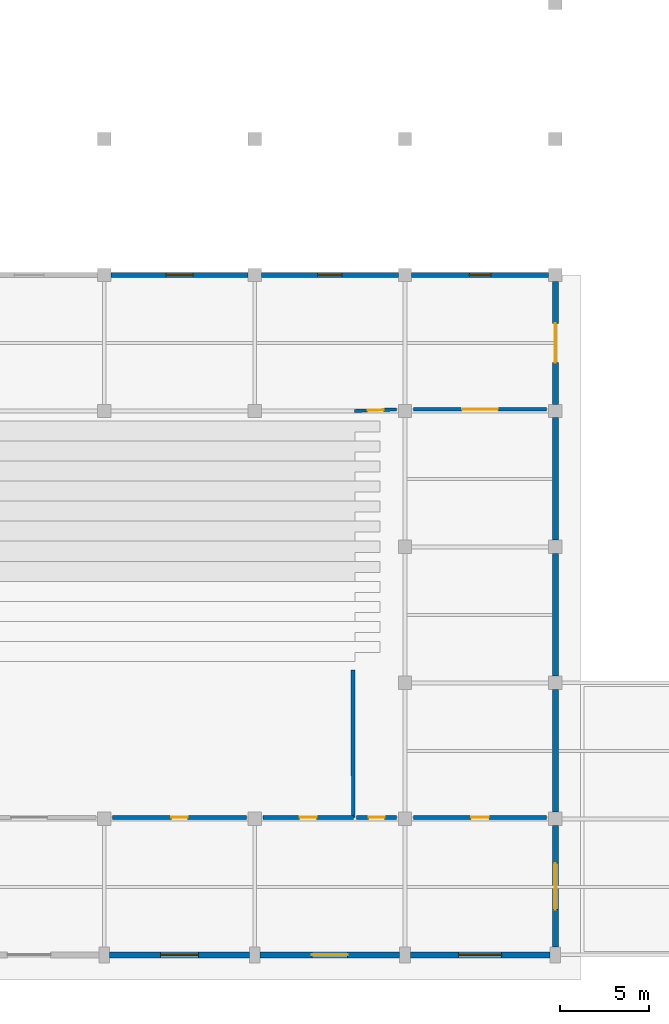
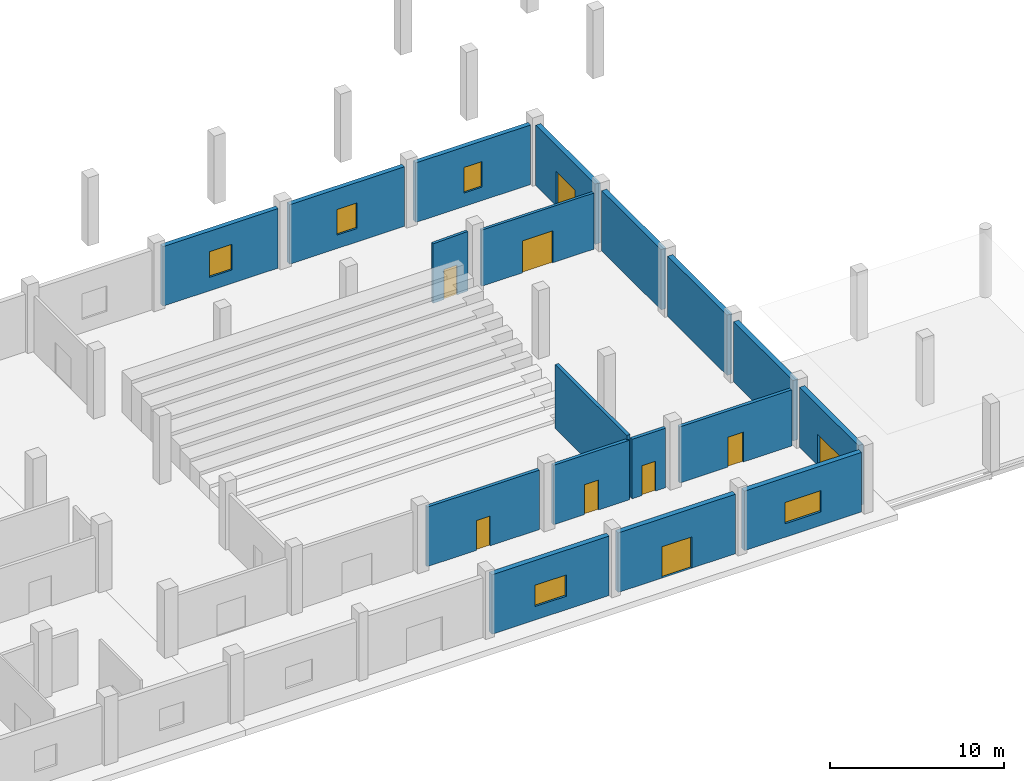
# One storey, part 24 of 36: 18 walls, 9 doors, 5 windows, 14 openings.
"""IFC4 building model written with IfcOpenShell, lengths in metres."""

from ifc_helpers import new_model, si_unit, direction, frame, frame_2d, origin, place, context, subcontext, project, spatial, rectangle, extrude, material, layer, layer_set, type_object, element, fill, save


model = new_model("IFC4")

# Units and contexts
model_context = context("Model", 3, precision=1e-05, world=origin(), true_north=direction((0.0, 1.0)))
body_context = subcontext(model_context, "Body", "Model", "MODEL_VIEW")
ifc_project = project(units=[si_unit("LENGTHUNIT", "METRE"), si_unit("AREAUNIT", "SQUARE_METRE"), si_unit("VOLUMEUNIT", "CUBIC_METRE"), si_unit("PLANEANGLEUNIT", "RADIAN"), si_unit("MASSUNIT", "GRAM", prefix="KILO")], contexts=[model_context])

# Site, building, storey
site_placement = place(None, origin())
site = spatial("IfcSite", under=ifc_project, at=site_placement, CompositionType="ELEMENT")
building_placement = place(site_placement, origin())
building = spatial("IfcBuilding", under=site, at=building_placement, Name="Zuvorla Pavilion Media Centre", CompositionType="ELEMENT")
storey_placement = place(building_placement, origin())
storey = spatial("IfcBuildingStorey", under=building, at=storey_placement, Name="L00", CompositionType="ELEMENT", Elevation=0.0)

# Wall, opening, door
ifc_material_1 = material(Name="Acoustic masonry blockwork C32/40", Category="masonry")
ifc_layer_1 = layer(ifc_material_1, 0.219970703125)
ifc_layer_set_1 = layer_set([ifc_layer_1], Name="Acoustic masonry blockwork C32/40")
wall_type_1 = type_object("IfcWallType", Name="WL-CMP-220", PredefinedType="SOLIDWALL", material=ifc_layer_set_1)
wall_1_placement = place(storey_placement, frame((141.93505859375, 13.68994140625, 0.0), z_axis=(0.0, 0.0, 1.0), x_axis=(-1.0, 0.0, 0.0)))
wall_1 = element("IfcWall", 1, at=wall_1_placement, inside=storey, type_object=wall_type_1, Name="L00 solid wall IW22 410", PredefinedType="SOLIDWALL", context=body_context, shape_type="SweptSolid", body=[
    extrude(rectangle(XDim=7.469970703125, YDim=0.219970703125, at=frame_2d((3.73486328125, 0.0))), origin(), (0.0, 0.0, 1.0), 4.18701171875),
])
opening_1_placement = place(wall_1_placement, frame((3.284912109375, 0.0, 0.0)))
opening_1 = element("IfcOpeningElement", 2, at=opening_1_placement, cuts=wall_1, Name="Opening FD01", PredefinedType="OPENING", context=body_context, shape_type="SweptSolid", body=[
    extrude(rectangle(XDim=0.89990234375, YDim=2.10009765625, at=frame_2d((0.449951171875, 1.050048828125))), frame((0.0, 0.119873046875, 0.0), z_axis=(0.0, -1.0, 0.0), x_axis=(1.0, 0.0, 0.0)), (0.0, 0.0, 1.0), 0.239990234375),
])
ifc_material_2 = material(Name="Acoustic timber fire door leaf in steel frame", Category="steel")
door_type_1 = type_object("IfcDoorType", Name="DR-INT-FD01", OperationType="NOTDEFINED", PredefinedType="DOOR", material=ifc_material_2)
door_1_placement = place(opening_1_placement, origin())
door_1 = element("IfcDoor", 3, at=door_1_placement, inside=storey, type_object=door_type_1, Name="Interior door FD01 154", OperationType="SINGLE_SWING_RIGHT", OverallHeight=2.10009765625, OverallWidth=0.89990234375, PredefinedType="DOOR", context=body_context, shape_type="SweptSolid", body=[
    extrude(rectangle(XDim=0.89990234375, YDim=2.10009765625, at=frame_2d((0.449951171875, 1.050048828125))), frame((0.0, 0.02490234375, 0.0), z_axis=(0.0, -1.0, 0.0), x_axis=(1.0, 0.0, 0.0)), (0.0, 0.0, 1.0), 0.050048828125),
])
fill(opening_1, door_1)

wall_2_placement = place(storey_placement, frame((147.919921875, 13.691162109375, 0.0), z_axis=(0.0, 0.0, 1.0), x_axis=(-0.999999970842, -0.000241487556, 0.0)))
wall_2 = element("IfcWall", 4, at=wall_2_placement, inside=storey, type_object=wall_type_1, Name="L00 solid wall IW22 411", PredefinedType="SOLIDWALL", context=body_context, shape_type="SweptSolid", body=[
    extrude(rectangle(XDim=5.054931640625, YDim=0.219970703125, at=frame_2d((2.52734375, 0.0))), origin(), (0.0, 0.0, 1.0), 4.18701171875),
])
opening_2_placement = place(wall_2_placement, frame((2.052490234375, 0.0, 0.0)))
opening_2 = element("IfcOpeningElement", 5, at=opening_2_placement, cuts=wall_2, Name="Opening FD02", PredefinedType="OPENING", context=body_context, shape_type="SweptSolid", body=[
    extrude(rectangle(XDim=0.949951171875, YDim=2.10009765625, at=frame_2d((0.47509765625, 1.050048828125))), frame((0.0, 0.119873046875, 0.0), z_axis=(0.0, -1.0, 0.0), x_axis=(1.0, 0.0, 0.0)), (0.0, 0.0, 1.0), 0.239990234375),
])
door_type_2 = type_object("IfcDoorType", Name="DR-INT-FD02", OperationType="NOTDEFINED", PredefinedType="DOOR", material=ifc_material_2)
door_2_placement = place(opening_2_placement, origin())
door_2 = element("IfcDoor", 6, at=door_2_placement, inside=storey, type_object=door_type_2, Name="Interior door FD02 155", OperationType="SINGLE_SWING_LEFT", OverallHeight=2.10009765625, OverallWidth=0.949951171875, PredefinedType="DOOR", context=body_context, shape_type="SweptSolid", body=[
    extrude(rectangle(XDim=0.949951171875, YDim=2.10009765625, at=frame_2d((0.47509765625, 1.050048828125))), frame((0.0, 0.02490234375, 0.0), z_axis=(0.0, -1.0, 0.0), x_axis=(1.0, 0.0, 0.0)), (0.0, 0.0, 1.0), 0.050048828125),
])
fill(opening_2, door_2)

wall_3_placement = place(storey_placement, frame((158.719970703125, 13.68994140625, 0.0), z_axis=(0.0, 0.0, 1.0), x_axis=(-1.0, 0.0, 0.0)))
wall_3 = element("IfcWall", 7, at=wall_3_placement, inside=storey, type_object=wall_type_1, Name="L00 solid wall IW22 412", PredefinedType="SOLIDWALL", context=body_context, shape_type="SweptSolid", body=[
    extrude(rectangle(XDim=7.455078125, YDim=0.219970703125, at=frame_2d((3.7275390625, 0.0))), origin(), (0.0, 0.0, 1.0), 3.9501953125),
])
opening_3_placement = place(wall_3_placement, frame((3.2275390625, 0.0, 0.0)))
opening_3 = element("IfcOpeningElement", 8, at=opening_3_placement, cuts=wall_3, Name="Opening FD03", PredefinedType="OPENING", context=body_context, shape_type="SweptSolid", body=[
    extrude(rectangle(XDim=1.0, YDim=2.10009765625, at=frame_2d((0.5, 1.050048828125))), frame((0.0, 0.119873046875, 0.0), z_axis=(0.0, -1.0, 0.0), x_axis=(1.0, 0.0, 0.0)), (0.0, 0.0, 1.0), 0.239990234375),
])
door_type_3 = type_object("IfcDoorType", Name="DR-INT-FD03", OperationType="NOTDEFINED", PredefinedType="DOOR", material=ifc_material_2)
door_3_placement = place(opening_3_placement, origin())
door_3 = element("IfcDoor", 9, at=door_3_placement, inside=storey, type_object=door_type_3, Name="Interior door FD03 156", OperationType="SINGLE_SWING_RIGHT", OverallHeight=2.10009765625, OverallWidth=1.0, PredefinedType="DOOR", context=body_context, shape_type="SweptSolid", body=[
    extrude(rectangle(XDim=1.0, YDim=2.10009765625, at=frame_2d((0.5, 1.050048828125))), frame((0.0, 0.02490234375, 0.0), z_axis=(0.0, -1.0, 0.0), x_axis=(1.0, 0.0, 0.0)), (0.0, 0.0, 1.0), 0.050048828125),
])
fill(opening_3, door_3)

wall_4_placement = place(storey_placement, frame((150.3349609375, 13.68994140625, 0.0), z_axis=(0.0, 0.0, 1.0), x_axis=(-0.999999852155, 0.00054377371, 0.0)))
wall_4 = element("IfcWall", 10, at=wall_4_placement, inside=storey, type_object=wall_type_1, Name="L00 solid wall IW22 413", PredefinedType="SOLIDWALL", context=body_context, shape_type="SweptSolid", body=[
    extrude(rectangle(XDim=2.244873046875, YDim=0.219970703125, at=frame_2d((1.12255859375, 0.0))), origin(), (0.0, 0.0, 1.0), 4.18701171875),
])
opening_4_placement = place(wall_4_placement, frame((0.672607421875, 0.0, 0.0)))
opening_4 = element("IfcOpeningElement", 11, at=opening_4_placement, cuts=wall_4, Name="Opening FD01", PredefinedType="OPENING", context=body_context, shape_type="SweptSolid", body=[
    extrude(rectangle(XDim=0.89990234375, YDim=2.10009765625, at=frame_2d((0.449951171875, 1.050048828125))), frame((0.0, 0.119873046875, 0.0), z_axis=(0.0, -1.0, 0.0), x_axis=(1.0, 0.0, 0.0)), (0.0, 0.0, 1.0), 0.239990234375),
])
door_4_placement = place(opening_4_placement, origin())
door_4 = element("IfcDoor", 12, at=door_4_placement, inside=storey, type_object=door_type_1, Name="Interior door FD01 157", OperationType="SINGLE_SWING_LEFT", OverallHeight=2.10009765625, OverallWidth=0.89990234375, PredefinedType="DOOR", context=body_context, shape_type="SweptSolid", body=[
    extrude(rectangle(XDim=0.89990234375, YDim=2.10009765625, at=frame_2d((0.449951171875, 1.050048828125))), frame((0.0, 0.02490234375, 0.0), z_axis=(0.0, -1.0, 0.0), x_axis=(1.0, 0.0, 0.0)), (0.0, 0.0, 1.0), 0.050048828125),
])
fill(opening_4, door_4)

# Wall
wall_5_placement = place(storey_placement, frame((147.900634765625, 21.919921875, 0.0), z_axis=(0.0, 0.0, 1.0), x_axis=(0.001125891853, -0.999999366184, 0.0)))
element("IfcWall", 13, at=wall_5_placement, inside=storey, type_object=wall_type_1, Name="L00 solid wall IW22 446", PredefinedType="SOLIDWALL", context=body_context, shape_type="SweptSolid", body=[
    extrude(rectangle(XDim=8.239990234375, YDim=0.219970703125, at=frame_2d((4.1201171875, 0.0))), origin(), (0.0, 0.0, 1.0), 4.5),
])

# Wall, opening, window
ifc_material_3 = material(Name="White rendered concrete C32/40", Category="concrete")
ifc_layer_2 = layer(ifc_material_3, 0.300048828125)
ifc_layer_set_2 = layer_set([ifc_layer_2], Name="White rendered concrete C32/40")
wall_type_2 = type_object("IfcWallType", Name="WL-EXT-300", PredefinedType="SOLIDWALL", material=ifc_layer_set_2)
wall_6_placement = place(storey_placement, frame((158.824951171875, 44.0, 0.0), z_axis=(0.0, 0.0, 1.0), x_axis=(-1.0, 0.0, 0.0)))
wall_6 = element("IfcWall", 14, at=wall_6_placement, inside=storey, type_object=wall_type_2, Name="L00 exterior solid wall EW03 70", PredefinedType="SOLIDWALL", context=body_context, shape_type="SweptSolid", body=[
    extrude(rectangle(XDim=7.64990234375, YDim=0.300048828125, at=frame_2d((3.824951171875, 0.0))), origin(), (0.0, 0.0, 1.0), 4.18701171875),
])
opening_5_placement = place(wall_6_placement, frame((3.22509765625, 0.0, 0.949951171875)))
opening_5 = element("IfcOpeningElement", 15, at=opening_5_placement, cuts=wall_6, Name="Opening WN08", PredefinedType="OPENING", context=body_context, shape_type="SweptSolid", body=[
    extrude(rectangle(XDim=1.199951171875, YDim=1.800048828125, at=frame_2d((0.60009765625, 0.89990234375))), frame((0.0, 0.159912109375, 0.0), z_axis=(0.0, -1.0, 0.0), x_axis=(1.0, 0.0, 0.0)), (0.0, 0.0, 1.0), 0.320068359375),
])
ifc_material_4 = material(Name="Anodised aluminium frame with solar double glazing", Category="aluminium")
window_type_1 = type_object("IfcWindowType", Name="WIN-WN08", PartitioningType="SINGLE_PANEL", PredefinedType="WINDOW", material=ifc_material_4)
window_1_placement = place(opening_5_placement, origin())
window_1 = element("IfcWindow", 16, at=window_1_placement, inside=storey, type_object=window_type_1, Name="L00 window WN08 8", OverallHeight=1.800048828125, OverallWidth=1.199951171875, PartitioningType="SINGLE_PANEL", PredefinedType="WINDOW", context=body_context, shape_type="SweptSolid", body=[
    extrude(rectangle(XDim=1.199951171875, YDim=1.800048828125, at=frame_2d((0.60009765625, 0.89990234375))), frame((0.0, 0.030029296875, 0.0), z_axis=(0.0, -1.0, 0.0), x_axis=(1.0, 0.0, 0.0)), (0.0, 0.0, 1.0), 0.06005859375),
])
fill(opening_5, window_1)

wall_7_placement = place(storey_placement, frame((150.425048828125, 44.0, 0.0), z_axis=(0.0, 0.0, 1.0), x_axis=(-1.0, 0.0, 0.0)))
wall_7 = element("IfcWall", 17, at=wall_7_placement, inside=storey, type_object=wall_type_2, Name="L00 exterior solid wall EW03 71", PredefinedType="SOLIDWALL", context=body_context, shape_type="SweptSolid", body=[
    extrude(rectangle(XDim=7.650146484375, YDim=0.300048828125, at=frame_2d((3.8251953125, 0.0))), origin(), (0.0, 0.0, 1.0), 4.18701171875),
])
opening_6_placement = place(wall_7_placement, frame((3.14990234375, 0.0, 0.949951171875)))
opening_6 = element("IfcOpeningElement", 18, at=opening_6_placement, cuts=wall_7, Name="Opening WN09", PredefinedType="OPENING", context=body_context, shape_type="SweptSolid", body=[
    extrude(rectangle(XDim=1.35009765625, YDim=1.800048828125, at=frame_2d((0.675048828125, 0.89990234375))), frame((0.0, 0.159912109375, 0.0), z_axis=(0.0, -1.0, 0.0), x_axis=(1.0, 0.0, 0.0)), (0.0, 0.0, 1.0), 0.320068359375),
])
window_type_2 = type_object("IfcWindowType", Name="WIN-WN09", PartitioningType="SINGLE_PANEL", PredefinedType="WINDOW", material=ifc_material_4)
window_2_placement = place(opening_6_placement, origin())
window_2 = element("IfcWindow", 19, at=window_2_placement, inside=storey, type_object=window_type_2, Name="L00 window WN09 9", OverallHeight=1.800048828125, OverallWidth=1.35009765625, PartitioningType="SINGLE_PANEL", PredefinedType="WINDOW", context=body_context, shape_type="SweptSolid", body=[
    extrude(rectangle(XDim=1.35009765625, YDim=1.800048828125, at=frame_2d((0.675048828125, 0.89990234375))), frame((0.0, 0.030029296875, 0.0), z_axis=(0.0, -1.0, 0.0), x_axis=(1.0, 0.0, 0.0)), (0.0, 0.0, 1.0), 0.06005859375),
])
fill(opening_6, window_2)

wall_8_placement = place(storey_placement, frame((142.02490234375, 44.0, 0.0), z_axis=(0.0, 0.0, 1.0), x_axis=(-1.0, 0.0, 0.0)))
wall_8 = element("IfcWall", 20, at=wall_8_placement, inside=storey, type_object=wall_type_2, Name="L00 exterior solid wall EW03 72", PredefinedType="SOLIDWALL", context=body_context, shape_type="SweptSolid", body=[
    extrude(rectangle(XDim=7.64990234375, YDim=0.300048828125, at=frame_2d((3.824951171875, 0.0))), origin(), (0.0, 0.0, 1.0), 4.18701171875),
])
opening_7_placement = place(wall_8_placement, frame((3.074951171875, 0.0, 0.949951171875)))
opening_7 = element("IfcOpeningElement", 21, at=opening_7_placement, cuts=wall_8, Name="Opening WN10", PredefinedType="OPENING", context=body_context, shape_type="SweptSolid", body=[
    extrude(rectangle(XDim=1.5, YDim=1.800048828125, at=frame_2d((0.75, 0.89990234375))), frame((0.0, 0.159912109375, 0.0), z_axis=(0.0, -1.0, 0.0), x_axis=(1.0, 0.0, 0.0)), (0.0, 0.0, 1.0), 0.320068359375),
])
window_type_3 = type_object("IfcWindowType", Name="WIN-WN10", PartitioningType="SINGLE_PANEL", PredefinedType="WINDOW", material=ifc_material_4)
window_3_placement = place(opening_7_placement, origin())
window_3 = element("IfcWindow", 22, at=window_3_placement, inside=storey, type_object=window_type_3, Name="L00 window WN10 10", OverallHeight=1.800048828125, OverallWidth=1.5, PartitioningType="SINGLE_PANEL", PredefinedType="WINDOW", context=body_context, shape_type="SweptSolid", body=[
    extrude(rectangle(XDim=1.5, YDim=1.800048828125, at=frame_2d((0.75, 0.89990234375))), frame((0.0, 0.030029296875, 0.0), z_axis=(0.0, -1.0, 0.0), x_axis=(1.0, 0.0, 0.0)), (0.0, 0.0, 1.0), 0.06005859375),
])
fill(opening_7, window_3)

ifc_layer_3 = layer(ifc_material_3, 0.340087890625)
ifc_layer_set_3 = layer_set([ifc_layer_3], Name="White rendered concrete C32/40")
wall_type_3 = type_object("IfcWallType", Name="WL-EXT-340", PredefinedType="SOLIDWALL", material=ifc_layer_set_3)
wall_9_placement = place(storey_placement, frame((134.300048828125, 6.0, 0.0), z_axis=(0.0, 0.0, 1.0), x_axis=(1.0, 0.0, 0.0)))
wall_9 = element("IfcWall", 23, at=wall_9_placement, inside=storey, type_object=wall_type_3, Name="L00 exterior solid wall EW02 62", PredefinedType="SOLIDWALL", context=body_context, shape_type="SweptSolid", body=[
    extrude(rectangle(XDim=7.800048828125, YDim=0.340087890625, at=frame_2d((3.89990234375, 0.0))), origin(), (0.0, 0.0, 1.0), 4.18701171875),
])
opening_8_placement = place(wall_9_placement, frame((2.85009765625, 0.0, 0.949951171875)))
opening_8 = element("IfcOpeningElement", 24, at=opening_8_placement, cuts=wall_9, Name="Opening WN06", PredefinedType="OPENING", context=body_context, shape_type="SweptSolid", body=[
    extrude(rectangle(XDim=2.10009765625, YDim=1.5, at=frame_2d((1.050048828125, 0.75))), frame((0.0, 0.179931640625, 0.0), z_axis=(0.0, -1.0, 0.0), x_axis=(1.0, 0.0, 0.0)), (0.0, 0.0, 1.0), 0.360107421875),
])
window_type_4 = type_object("IfcWindowType", Name="WIN-WN06", PartitioningType="DOUBLE_PANEL_VERTICAL", PredefinedType="WINDOW", material=ifc_material_4)
window_4_placement = place(opening_8_placement, origin())
window_4 = element("IfcWindow", 25, at=window_4_placement, inside=storey, type_object=window_type_4, Name="L00 window WN06 6", OverallHeight=1.5, OverallWidth=2.10009765625, PartitioningType="DOUBLE_PANEL_VERTICAL", PredefinedType="WINDOW", context=body_context, shape_type="SweptSolid", body=[
    extrude(rectangle(XDim=2.10009765625, YDim=1.5, at=frame_2d((1.050048828125, 0.75))), frame((0.0, 0.030029296875, 0.0), z_axis=(0.0, -1.0, 0.0), x_axis=(1.0, 0.0, 0.0)), (0.0, 0.0, 1.0), 0.06005859375),
])
fill(opening_8, window_4)

# Wall, opening, door
wall_10_placement = place(storey_placement, frame((142.699951171875, 6.0, 0.0), z_axis=(0.0, 0.0, 1.0), x_axis=(1.0, 0.0, 0.0)))
wall_10 = element("IfcWall", 26, at=wall_10_placement, inside=storey, type_object=wall_type_3, Name="L00 exterior solid wall EW02 63", PredefinedType="SOLIDWALL", context=body_context, shape_type="SweptSolid", body=[
    extrude(rectangle(XDim=7.800048828125, YDim=0.340087890625, at=frame_2d((3.89990234375, 0.0))), origin(), (0.0, 0.0, 1.0), 4.18701171875),
])
opening_9_placement = place(wall_10_placement, frame((2.89990234375, 0.0, 0.0)))
opening_9 = element("IfcOpeningElement", 27, at=opening_9_placement, cuts=wall_10, Name="Opening ED03", PredefinedType="OPENING", context=body_context, shape_type="SweptSolid", body=[
    extrude(rectangle(XDim=2.0, YDim=2.199951171875, at=frame_2d((1.0, 1.10009765625))), frame((0.0, 0.179931640625, 0.0), z_axis=(0.0, -1.0, 0.0), x_axis=(1.0, 0.0, 0.0)), (0.0, 0.0, 1.0), 0.360107421875),
])
ifc_material_5 = material(Name="Powder-coated steel final exit door", Category="steel")
door_type_4 = type_object("IfcDoorType", Name="DR-EXT-200x220", OperationType="NOTDEFINED", PredefinedType="DOOR", material=ifc_material_5)
door_5_placement = place(opening_9_placement, frame((2.0, 0.0, 0.0), z_axis=(0.0, 0.0, 1.0), x_axis=(-1.0, 0.0, 0.0)))
door_5 = element("IfcDoor", 28, at=door_5_placement, inside=storey, type_object=door_type_4, Name="Exterior Exit Door DR-EXT-L00-007", OperationType="DOUBLE_DOOR_SINGLE_SWING", OverallHeight=2.199951171875, OverallWidth=2.0, PredefinedType="DOOR", context=body_context, shape_type="SweptSolid", body=[
    extrude(rectangle(XDim=2.0, YDim=2.199951171875, at=frame_2d((1.0, 1.10009765625))), frame((0.0, 0.02490234375, 0.0), z_axis=(0.0, -1.0, 0.0), x_axis=(1.0, 0.0, 0.0)), (0.0, 0.0, 1.0), 0.050048828125),
])
fill(opening_9, door_5)

# Wall, opening, window
wall_11_placement = place(storey_placement, frame((151.10009765625, 6.0, 0.0), z_axis=(0.0, 0.0, 1.0), x_axis=(1.0, 0.0, 0.0)))
wall_11 = element("IfcWall", 29, at=wall_11_placement, inside=storey, type_object=wall_type_3, Name="L00 exterior solid wall EW02 64", PredefinedType="SOLIDWALL", context=body_context, shape_type="SweptSolid", body=[
    extrude(rectangle(XDim=7.7998046875, YDim=0.340087890625, at=frame_2d((3.89990234375, 0.0))), origin(), (0.0, 0.0, 1.0), 4.18701171875),
])
opening_10_placement = place(wall_11_placement, frame((2.699951171875, 0.0, 0.949951171875)))
opening_10 = element("IfcOpeningElement", 30, at=opening_10_placement, cuts=wall_11, Name="Opening WN07", PredefinedType="OPENING", context=body_context, shape_type="SweptSolid", body=[
    extrude(rectangle(XDim=2.39990234375, YDim=1.5, at=frame_2d((1.199951171875, 0.75))), frame((0.0, 0.179931640625, 0.0), z_axis=(0.0, -1.0, 0.0), x_axis=(1.0, 0.0, 0.0)), (0.0, 0.0, 1.0), 0.360107421875),
])
window_type_5 = type_object("IfcWindowType", Name="WIN-WN07", PartitioningType="DOUBLE_PANEL_VERTICAL", PredefinedType="WINDOW", material=ifc_material_4)
window_5_placement = place(opening_10_placement, origin())
window_5 = element("IfcWindow", 31, at=window_5_placement, inside=storey, type_object=window_type_5, Name="L00 window WN07 7", OverallHeight=1.5, OverallWidth=2.39990234375, PartitioningType="DOUBLE_PANEL_VERTICAL", PredefinedType="WINDOW", context=body_context, shape_type="SweptSolid", body=[
    extrude(rectangle(XDim=2.39990234375, YDim=1.5, at=frame_2d((1.199951171875, 0.75))), frame((0.0, 0.030029296875, 0.0), z_axis=(0.0, -1.0, 0.0), x_axis=(1.0, 0.0, 0.0)), (0.0, 0.0, 1.0), 0.06005859375),
])
fill(opening_10, window_5)

# Wall, opening, door
wall_12_placement = place(storey_placement, frame((159.199951171875, 6.449951171875, 0.0), z_axis=(0.0, 0.0, 1.0), x_axis=(0.0, 1.0, 0.0)))
wall_12 = element("IfcWall", 32, at=wall_12_placement, inside=storey, type_object=wall_type_3, Name="L00 exterior solid wall EW02 65", PredefinedType="SOLIDWALL", context=body_context, shape_type="SweptSolid", body=[
    extrude(rectangle(XDim=6.775146484375, YDim=0.340087890625, at=frame_2d((3.3876953125, 0.0))), origin(), (0.0, 0.0, 1.0), 4.237060546875),
])
opening_11_placement = place(wall_12_placement, frame((2.08740234375, 0.0, 0.0)))
opening_11 = element("IfcOpeningElement", 33, at=opening_11_placement, cuts=wall_12, Name="Opening GT01", PredefinedType="OPENING", context=body_context, shape_type="SweptSolid", body=[
    extrude(rectangle(XDim=2.60009765625, YDim=2.199951171875, at=frame_2d((1.300048828125, 1.10009765625))), frame((0.0, 0.179931640625, 0.0), z_axis=(0.0, -1.0, 0.0), x_axis=(1.0, 0.0, 0.0)), (0.0, 0.0, 1.0), 0.360107421875),
])
ifc_material_6 = material(Name="Architectural powder-coated steel plaza gate", Category="steel")
door_type_5 = type_object("IfcDoorType", Name="DR-GAT-260x220", OperationType="NOTDEFINED", PredefinedType="GATE", material=ifc_material_6)
door_6_placement = place(opening_11_placement, frame((2.60009765625, 0.0, 0.0), z_axis=(0.0, 0.0, 1.0), x_axis=(-1.0, 0.0, 0.0)))
door_6 = element("IfcDoor", 34, at=door_6_placement, inside=storey, type_object=door_type_5, Name="Exterior Exit Door DR-EXT-L00-008", OperationType="DOUBLE_DOOR_SINGLE_SWING", OverallHeight=2.199951171875, OverallWidth=2.60009765625, PredefinedType="GATE", context=body_context, shape_type="SweptSolid", body=[
    extrude(rectangle(XDim=2.60009765625, YDim=2.199951171875, at=frame_2d((1.300048828125, 1.10009765625))), frame((0.0, 0.02490234375, 0.0), z_axis=(0.0, -1.0, 0.0), x_axis=(1.0, 0.0, 0.0)), (0.0, 0.0, 1.0), 0.050048828125),
])
fill(opening_11, door_6)

# Walls
wall_13_placement = place(storey_placement, frame((159.199951171875, 13.97509765625, 0.0), z_axis=(0.0, 0.0, 1.0), x_axis=(0.0, 1.0, 0.0)))
element("IfcWall", 35, at=wall_13_placement, inside=storey, type_object=wall_type_3, Name="L00 exterior solid wall EW02 66", PredefinedType="SOLIDWALL", context=body_context, shape_type="SweptSolid", body=[
    extrude(rectangle(XDim=6.849853515625, YDim=0.340087890625, at=frame_2d((3.4248046875, 0.0))), origin(), (0.0, 0.0, 1.0), 4.237060546875),
])
wall_14_placement = place(storey_placement, frame((159.199951171875, 21.574951171875, 0.0), z_axis=(0.0, 0.0, 1.0), x_axis=(0.0, 1.0, 0.0)))
element("IfcWall", 36, at=wall_14_placement, inside=storey, type_object=wall_type_3, Name="L00 exterior solid wall EW02 67", PredefinedType="SOLIDWALL", context=body_context, shape_type="SweptSolid", body=[
    extrude(rectangle(XDim=6.85009765625, YDim=0.340087890625, at=frame_2d((3.425048828125, 0.0))), origin(), (0.0, 0.0, 1.0), 4.237060546875),
])
wall_15_placement = place(storey_placement, frame((159.199951171875, 29.175048828125, 0.0), z_axis=(0.0, 0.0, 1.0), x_axis=(0.0, 1.0, 0.0)))
element("IfcWall", 37, at=wall_15_placement, inside=storey, type_object=wall_type_3, Name="L00 exterior solid wall EW02 68", PredefinedType="SOLIDWALL", context=body_context, shape_type="SweptSolid", body=[
    extrude(rectangle(XDim=6.849853515625, YDim=0.340087890625, at=frame_2d((3.4248046875, 0.0))), origin(), (0.0, 0.0, 1.0), 4.237060546875),
])

# Wall, opening, door
wall_16_placement = place(storey_placement, frame((159.199951171875, 36.77490234375, 0.0), z_axis=(0.0, 0.0, 1.0), x_axis=(0.0, 1.0, 0.0)))
wall_16 = element("IfcWall", 38, at=wall_16_placement, inside=storey, type_object=wall_type_3, Name="L00 exterior solid wall EW02 69", PredefinedType="SOLIDWALL", context=body_context, shape_type="SweptSolid", body=[
    extrude(rectangle(XDim=6.85009765625, YDim=0.340087890625, at=frame_2d((3.425048828125, 0.0))), origin(), (0.0, 0.0, 1.0), 4.237060546875),
])
opening_12_placement = place(wall_16_placement, frame((2.324951171875, 0.0, 0.0)))
opening_12 = element("IfcOpeningElement", 39, at=opening_12_placement, cuts=wall_16, Name="Opening ED02", PredefinedType="OPENING", context=body_context, shape_type="SweptSolid", body=[
    extrude(rectangle(XDim=2.199951171875, YDim=2.39990234375, at=frame_2d((1.10009765625, 1.199951171875))), frame((0.0, 0.179931640625, 0.0), z_axis=(0.0, -1.0, 0.0), x_axis=(1.0, 0.0, 0.0)), (0.0, 0.0, 1.0), 0.360107421875),
])
ifc_material_7 = material(Name="Anodised aluminium glazed exit door", Category="aluminium")
door_type_6 = type_object("IfcDoorType", Name="DR-EXT-220x240", OperationType="NOTDEFINED", PredefinedType="DOOR", material=ifc_material_7)
door_7_placement = place(opening_12_placement, frame((2.199951171875, 0.0, 0.0), z_axis=(0.0, 0.0, 1.0), x_axis=(-1.0, 0.0, 0.0)))
door_7 = element("IfcDoor", 40, at=door_7_placement, inside=storey, type_object=door_type_6, Name="Exterior Exit Door DR-EXT-L00-009", OperationType="DOUBLE_DOOR_SINGLE_SWING", OverallHeight=2.39990234375, OverallWidth=2.199951171875, PredefinedType="DOOR", context=body_context, shape_type="SweptSolid", body=[
    extrude(rectangle(XDim=2.199951171875, YDim=2.39990234375, at=frame_2d((1.10009765625, 1.199951171875))), frame((0.0, 0.02490234375, 0.0), z_axis=(0.0, -1.0, 0.0), x_axis=(1.0, 0.0, 0.0)), (0.0, 0.0, 1.0), 0.050048828125),
])
fill(opening_12, door_7)

ifc_material_8 = material(Name="Double acoustic gypsum stud partition")
ifc_layer_4 = layer(ifc_material_8, 0.179931640625)
ifc_layer_set_4 = layer_set([ifc_layer_4], Name="Double acoustic gypsum stud partition")
wall_type_4 = type_object("IfcWallType", Name="WL-PRT-180", PredefinedType="PARTITIONING", material=ifc_layer_set_4)
wall_17_placement = place(storey_placement, frame((158.719970703125, 36.489990234375, 0.0), z_axis=(0.0, 0.0, 1.0), x_axis=(-1.0, 0.0, 0.0)))
wall_17 = element("IfcWall", 41, at=wall_17_placement, inside=storey, type_object=wall_type_4, Name="L00 partition PT18 389", PredefinedType="PARTITIONING", context=body_context, shape_type="SweptSolid", body=[
    extrude(rectangle(XDim=7.455078125, YDim=0.179931640625, at=frame_2d((3.7275390625, 0.0))), origin(), (0.0, 0.0, 1.0), 3.9501953125),
])
opening_13_placement = place(wall_17_placement, frame((2.7275390625, 0.0, 0.0)))
opening_13 = element("IfcOpeningElement", 42, at=opening_13_placement, cuts=wall_17, Name="Opening FD12", PredefinedType="OPENING", context=body_context, shape_type="SweptSolid", body=[
    extrude(rectangle(XDim=2.0, YDim=2.25, at=frame_2d((1.0, 1.125))), frame((0.0, 0.099853515625, 0.0), z_axis=(0.0, -1.0, 0.0), x_axis=(1.0, 0.0, 0.0)), (0.0, 0.0, 1.0), 0.199951171875),
])
door_type_7 = type_object("IfcDoorType", Name="DR-INT-FD12", OperationType="NOTDEFINED", PredefinedType="DOOR", material=ifc_material_2)
door_8_placement = place(opening_13_placement, origin())
door_8 = element("IfcDoor", 43, at=door_8_placement, inside=storey, type_object=door_type_7, Name="Interior door FD12 133", OperationType="DOUBLE_DOOR_SINGLE_SWING", OverallHeight=2.25, OverallWidth=2.0, PredefinedType="DOOR", context=body_context, shape_type="SweptSolid", body=[
    extrude(rectangle(XDim=2.0, YDim=2.25, at=frame_2d((1.0, 1.125))), frame((0.0, 0.02490234375, 0.0), z_axis=(0.0, -1.0, 0.0), x_axis=(1.0, 0.0, 0.0)), (0.0, 0.0, 1.0), 0.050048828125),
])
fill(opening_13, door_8)

wall_18_placement = place(storey_placement, frame((150.335205078125, 36.487060546875, 0.0), z_axis=(0.0, 0.0, 1.0), x_axis=(-0.999360872917, -0.03574696746, 0.0)))
wall_18 = element("IfcWall", 44, at=wall_18_placement, inside=storey, type_object=wall_type_4, Name="L00 partition PT18 390", PredefinedType="PARTITIONING", context=body_context, shape_type="SweptSolid", body=[
    extrude(rectangle(XDim=2.356201171875, YDim=0.179931640625, at=frame_2d((1.17822265625, 0.0))), origin(), (0.0, 0.0, 1.0), 4.18701171875),
])
opening_14_placement = place(wall_18_placement, frame((0.72802734375, 0.0, 0.0)))
opening_14 = element("IfcOpeningElement", 45, at=opening_14_placement, cuts=wall_18, Name="Opening FD01", PredefinedType="OPENING", context=body_context, shape_type="SweptSolid", body=[
    extrude(rectangle(XDim=0.89990234375, YDim=2.10009765625, at=frame_2d((0.449951171875, 1.050048828125))), frame((0.0, 0.099853515625, 0.0), z_axis=(0.0, -1.0, 0.0), x_axis=(1.0, 0.0, 0.0)), (0.0, 0.0, 1.0), 0.199951171875),
])
door_9_placement = place(opening_14_placement, origin())
door_9 = element("IfcDoor", 46, at=door_9_placement, inside=storey, type_object=door_type_1, Name="Interior door FD01 134", OperationType="SINGLE_SWING_LEFT", OverallHeight=2.10009765625, OverallWidth=0.89990234375, PredefinedType="DOOR", context=body_context, shape_type="SweptSolid", body=[
    extrude(rectangle(XDim=0.89990234375, YDim=2.10009765625, at=frame_2d((0.449951171875, 1.050048828125))), frame((0.0, 0.02490234375, 0.0), z_axis=(0.0, -1.0, 0.0), x_axis=(1.0, 0.0, 0.0)), (0.0, 0.0, 1.0), 0.050048828125),
])
fill(opening_14, door_9)

save(model, "model.ifc")
